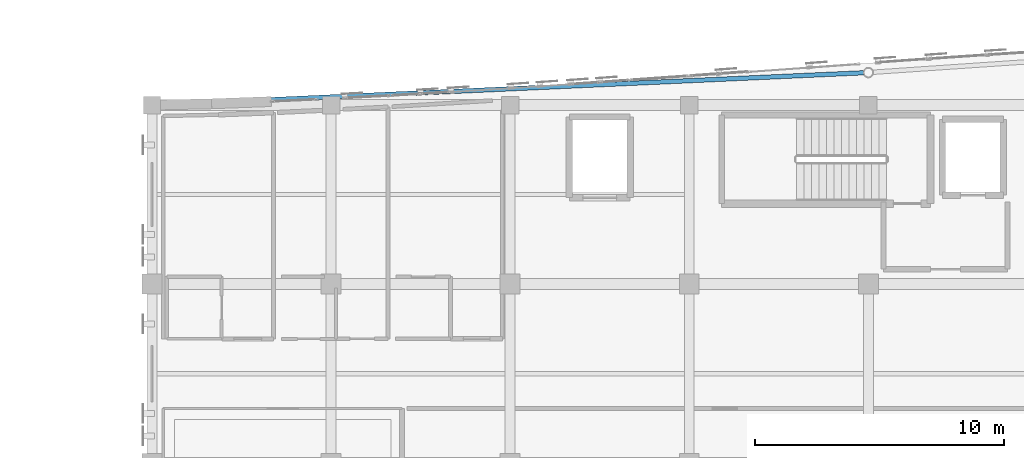
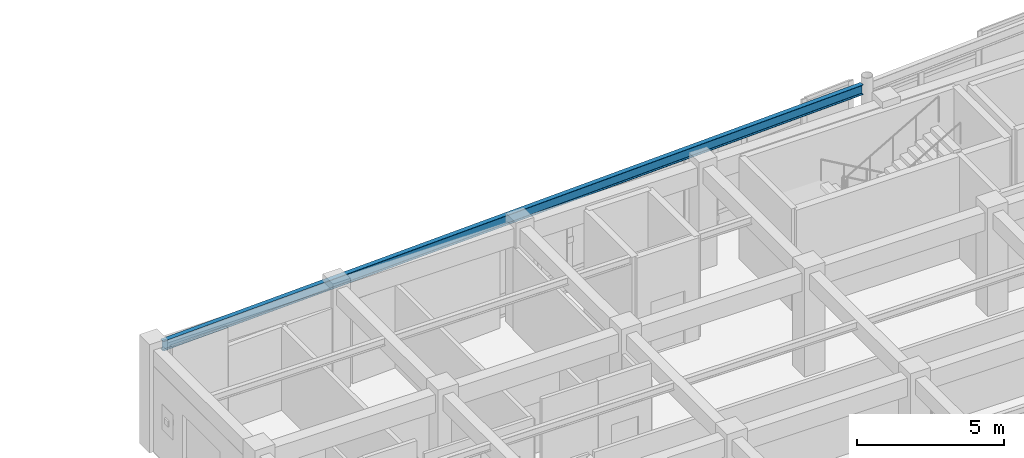
# One storey, part 28 of 106: 1 beam.
"""IFC4 building model written with IfcOpenShell, lengths in metres."""

from ifc_helpers import new_model, si_unit, direction, frame, origin, origin_2d, place, context, subcontext, project, spatial, i_section, extrude, material, material_profile, profile_set, type_object, element, save


model = new_model("IFC4")

# Units and contexts
model_context = context("Model", 3, precision=1e-05, world=origin(), true_north=direction((0.0, 1.0)))
body_context = subcontext(model_context, "Body", "Model", "MODEL_VIEW")
ifc_project = project(units=[si_unit("LENGTHUNIT", "METRE"), si_unit("AREAUNIT", "SQUARE_METRE"), si_unit("VOLUMEUNIT", "CUBIC_METRE"), si_unit("PLANEANGLEUNIT", "RADIAN"), si_unit("MASSUNIT", "GRAM", prefix="KILO")], contexts=[model_context])

# Site, building, storey
site_placement = place(None, origin())
site = spatial("IfcSite", under=ifc_project, at=site_placement, CompositionType="ELEMENT")
building_placement = place(site_placement, origin())
building = spatial("IfcBuilding", under=site, at=building_placement, Name="Carrowvane Square Congress Hotel", CompositionType="ELEMENT")
storey_placement = place(building_placement, frame((0.0, 0.0, 10.5)))
storey = spatial("IfcBuildingStorey", under=building, at=storey_placement, Name="L02", CompositionType="ELEMENT", Elevation=10.5)

# Beam
ifc_material = material(Name="Steel S355", Category="steel")
ifc_material_profile = material_profile(ifc_material, i_section(OverallWidth=0.1787109375, OverallDepth=0.409423828125, WebThickness=0.0087890625, FlangeThickness=0.014404296875, FilletRadius=0.01025390625, at=origin_2d()), Name="UKB 406x178x67")
ifc_profile_set = profile_set([ifc_material_profile], Name="Steel S355")
beam_type = type_object("IfcBeamType", Name="BM-ST-UKB406", PredefinedType="BEAM", material=ifc_profile_set)
beam_placement = place(storey_placement, frame((33.549560546875, 113.415771484375, 4.015380859375), z_axis=(0.998973305659, 0.045302699476, 0.0), x_axis=(-0.045302699476, 0.998973305659, 0.0)))
element("IfcBeam", 1, at=beam_placement, inside=storey, type_object=beam_type, Name="L03 curved north spandrel", PredefinedType="BEAM", context=body_context, shape_type="SweptSolid", body=[
    extrude(i_section(OverallWidth=0.1787109375, OverallDepth=0.409423828125, WebThickness=0.0087890625, FlangeThickness=0.014404296875, FilletRadius=0.01025390625, at=origin_2d()), origin(), (0.0, 0.0, 1.0), 28.276611328125),
])

save(model, "model.ifc")
